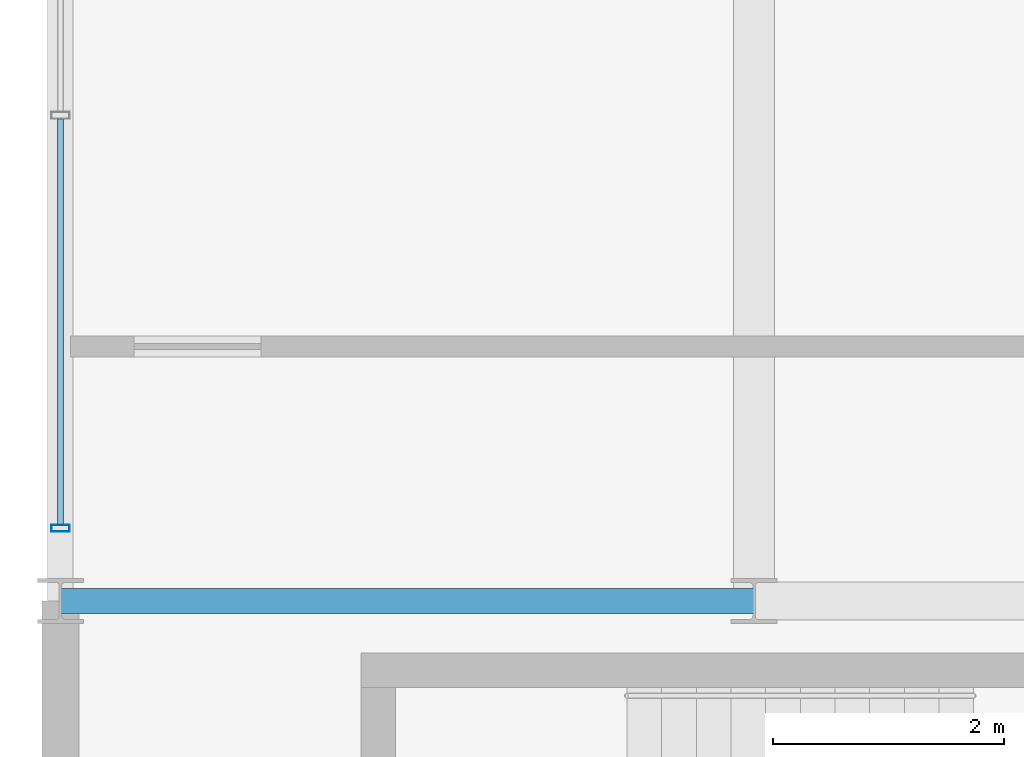
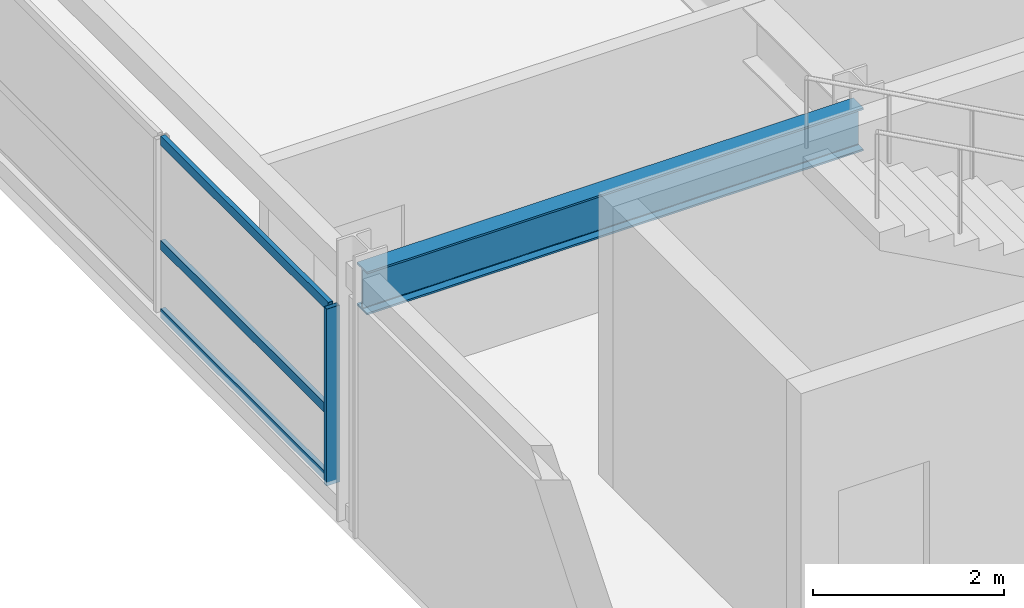
# One storey, part 6 of 22: 4 members, 1 beam, 1 element without a shape of its own.
"""IFC4 building model written with IfcOpenShell, lengths in metres."""

from ifc_helpers import new_model, si_unit, direction, frame, origin, origin_2d, place, context, subcontext, project, spatial, hollow_rectangle, i_section, extrude, material, material_profile, profile_set, type_object, element, aggregate, save


model = new_model("IFC4")

# Units and contexts
model_context = context("Model", 3, precision=1e-05, world=origin(), true_north=direction((0.0, 1.0)))
body_context = subcontext(model_context, "Body", "Model", "MODEL_VIEW")
ifc_project = project(units=[si_unit("LENGTHUNIT", "METRE"), si_unit("AREAUNIT", "SQUARE_METRE"), si_unit("VOLUMEUNIT", "CUBIC_METRE"), si_unit("PLANEANGLEUNIT", "RADIAN"), si_unit("MASSUNIT", "GRAM", prefix="KILO")], contexts=[model_context])

# Site, building, storey
site_placement = place(None, origin())
site = spatial("IfcSite", under=ifc_project, at=site_placement, CompositionType="ELEMENT")
building_placement = place(site_placement, origin())
building = spatial("IfcBuilding", under=site, at=building_placement, Name="Kaldorvane Square Convention Centre", CompositionType="ELEMENT")
storey_placement = place(building_placement, frame((0.0, 0.0, 63.600006103515625)))
storey = spatial("IfcBuildingStorey", under=building, at=storey_placement, Name="L15", CompositionType="ELEMENT", Elevation=63.600006103515625)

# Beam
ifc_material_1 = material(Name="Steel ASTM A992 Gr. 50", Category="steel")
ifc_material_profile_1 = material_profile(ifc_material_1, i_section(OverallWidth=0.213897705078125, OverallDepth=0.549102783203125, WebThickness=0.0146942138671875, FlangeThickness=0.0236053466796875, FilletRadius=0.0126953125, at=origin_2d()), Name="W21X93")
ifc_profile_set_1 = profile_set([ifc_material_profile_1], Name="Steel ASTM A992 Gr. 50")
beam_type = type_object("IfcBeamType", Name="BM-GR-W21X93", PredefinedType="BEAM", material=ifc_profile_set_1)
beam_placement = place(storey_placement, frame((36.0, 105.0, 3.0113983154296875), z_axis=(1.0, 0.0, 0.0), x_axis=(0.0, 1.0, 0.0)))
element("IfcBeam", 1, at=beam_placement, inside=storey, type_object=beam_type, Name="Primary Girder (L15)", PredefinedType="BEAM", context=body_context, shape_type="SweptSolid", body=[
    extrude(i_section(OverallWidth=0.213897705078125, OverallDepth=0.549102783203125, WebThickness=0.0146942138671875, FlangeThickness=0.0236053466796875, FilletRadius=0.0126953125, at=origin_2d()), origin(), (0.0, 0.0, 1.0), 6.0),
])

# Curtain wall, members
ifc_material_2 = material(Name="Anodized Aluminum and Low-E Insulated Glazing", Category="aluminium")
curtain_wall_type = type_object("IfcCurtainWallType", Name="CW-UNI-HTL-B", PredefinedType="USERDEFINED", material=ifc_material_2)
curtain_wall_placement = place(storey_placement, origin())
curtain_wall = element("IfcCurtainWall", 2, at=curtain_wall_placement, inside=storey, type_object=curtain_wall_type, Name="Curtain Wall CW-11 (L15)", ObjectType="UNITISED GLAZING", PredefinedType="USERDEFINED")
ifc_material_profile_2 = material_profile(ifc_material_2, hollow_rectangle(XDim=0.05999755859375, YDim=0.160003662109375, WallThickness=0.003204345703125, at=origin_2d()), Name="CWM-160X60")
ifc_profile_set_2 = profile_set([ifc_material_profile_2], Name="Anodized Aluminum and Low-E Insulated Glazing")
member_type_1 = type_object("IfcMemberType", Name="CW-MUL-160", PredefinedType="MULLION", material=ifc_profile_set_2)
member_1_placement = place(storey_placement, frame((36.0, 105.6300048828125, 0.149993896484375), z_axis=(0.0, 0.0, 1.0), x_axis=(0.0, -1.0, 0.0)))
member_1 = element("IfcMember", 3, at=member_1_placement, type_object=member_type_1, Name="CW-11 mullion 4", PredefinedType="MULLION", context=body_context, shape_type="SweptSolid", body=[
    extrude(hollow_rectangle(XDim=0.05999755859375, YDim=0.160003662109375, WallThickness=0.003204345703125, at=origin_2d()), origin(), (0.0, 0.0, 1.0), 2.2599945068359375),
])
ifc_material_profile_3 = material_profile(ifc_material_2, hollow_rectangle(XDim=0.05499267578125, YDim=0.1199951171875, WallThickness=0.0030059814453125, at=origin_2d()), Name="CWT-120X55")
ifc_profile_set_3 = profile_set([ifc_material_profile_3], Name="Anodized Aluminum and Low-E Insulated Glazing")
member_type_2 = type_object("IfcMemberType", Name="CW-TRN-120", PredefinedType="USERDEFINED", material=ifc_profile_set_3)
member_2_placement = place(storey_placement, frame((36.0, 109.16999816894531, 0.177490234375), z_axis=(0.0, -1.0, 0.0), x_axis=(1.0, 0.0, 0.0)))
member_2 = element("IfcMember", 4, at=member_2_placement, type_object=member_type_2, Name="CW-11 transom 3.1", ObjectType="TRANSOM", PredefinedType="USERDEFINED", context=body_context, shape_type="SweptSolid", body=[
    extrude(hollow_rectangle(XDim=0.05499267578125, YDim=0.1199951171875, WallThickness=0.0030059814453125, at=origin_2d()), origin(), (0.0, 0.0, 1.0), 3.5099945068359375),
])
member_3_placement = place(storey_placement, frame((36.0, 109.16999816894531, 1.04998779296875), z_axis=(0.0, -1.0, 0.0), x_axis=(1.0, 0.0, 0.0)))
member_3 = element("IfcMember", 5, at=member_3_placement, type_object=member_type_2, Name="CW-11 transom 3.2", ObjectType="TRANSOM", PredefinedType="USERDEFINED", context=body_context, shape_type="SweptSolid", body=[
    extrude(hollow_rectangle(XDim=0.05499267578125, YDim=0.1199951171875, WallThickness=0.0030059814453125, at=origin_2d()), origin(), (0.0, 0.0, 1.0), 3.5099945068359375),
])
member_4_placement = place(storey_placement, frame((36.0, 109.16999816894531, 2.3824920654296875), z_axis=(0.0, -1.0, 0.0), x_axis=(1.0, 0.0, 0.0)))
member_4 = element("IfcMember", 6, at=member_4_placement, type_object=member_type_2, Name="CW-11 transom 3.3", ObjectType="TRANSOM", PredefinedType="USERDEFINED", context=body_context, shape_type="SweptSolid", body=[
    extrude(hollow_rectangle(XDim=0.05499267578125, YDim=0.1199951171875, WallThickness=0.0030059814453125, at=origin_2d()), origin(), (0.0, 0.0, 1.0), 3.5099945068359375),
])
aggregate(curtain_wall, [member_1, member_2, member_3, member_4])

save(model, "model.ifc")
